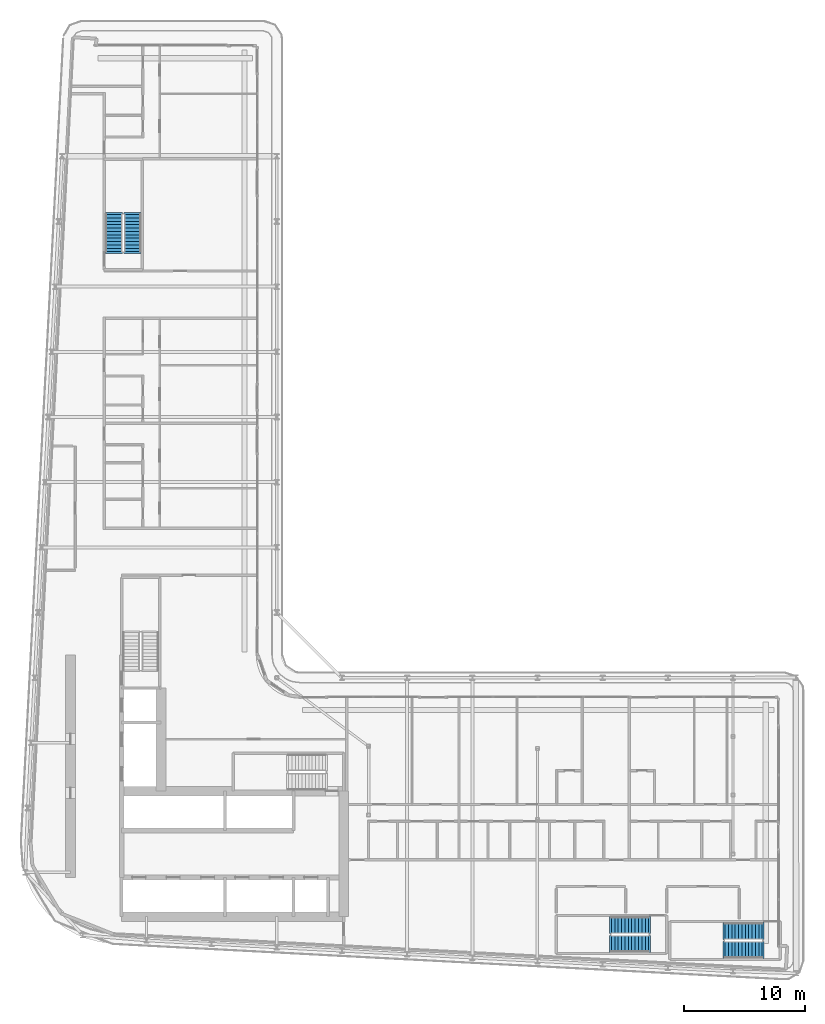
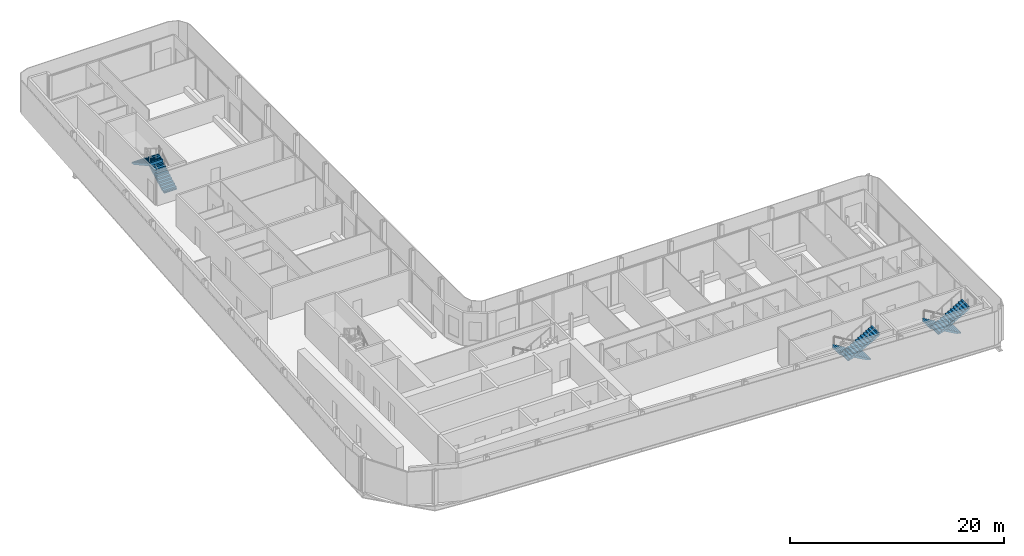
# One storey, part 19 of 26: 6 stair flights, 3 elements without a shape of their own.
"""IFC4 building model written with IfcOpenShell, lengths in metres."""

from ifc_helpers import new_model, si_unit, direction, frame, origin, place, context, subcontext, project, spatial, polyline, outline, extrude, material, layer, layer_set, type_object, element, aggregate, save


model = new_model("IFC4")

# Units and contexts
model_context = context("Model", 3, precision=1e-05, world=origin(), true_north=direction((0.0, 1.0)))
body_context = subcontext(model_context, "Body", "Model", "MODEL_VIEW")
ifc_project = project(units=[si_unit("LENGTHUNIT", "METRE"), si_unit("AREAUNIT", "SQUARE_METRE"), si_unit("VOLUMEUNIT", "CUBIC_METRE"), si_unit("PLANEANGLEUNIT", "RADIAN"), si_unit("MASSUNIT", "GRAM", prefix="KILO")], contexts=[model_context])

# Site, building, storey
site_placement = place(None, origin())
site = spatial("IfcSite", under=ifc_project, at=site_placement, CompositionType="ELEMENT")
building_placement = place(site_placement, origin())
building = spatial("IfcBuilding", under=site, at=building_placement, Name="Kheshtan School and Residences Tower", CompositionType="ELEMENT")
storey_placement = place(building_placement, frame((0.0, 0.0, 156.5)))
storey = spatial("IfcBuildingStorey", under=building, at=storey_placement, Name="L36", CompositionType="ELEMENT", Elevation=156.5)

# Stair, stair flights
ifc_material = material(Name="Concrete C40/50", Category="concrete")
stair_type = type_object("IfcStairType", Name="Exit stair, half-turn", PredefinedType="HALF_TURN_STAIR", material=ifc_material)
stair_1_placement = place(storey_placement, origin())
stair_1 = element("IfcStair", 1, at=stair_1_placement, inside=storey, type_object=stair_type, Name="L36 Protected Exit Stair ST3", PredefinedType="HALF_TURN_STAIR")
ifc_layer = layer(ifc_material, 0.14990234375)
ifc_layer_set = layer_set([ifc_layer], Name="Stair flight 1400 Concrete C40/50")
stair_flight_type = type_object("IfcStairFlightType", Name="Stair flight 1400 Concrete C40/50", PredefinedType="STRAIGHT", material=ifc_layer_set)
stair_flight_1_placement = place(storey_placement, frame((35.64990234375, 80.89990234375, 0.0), z_axis=(0.0, 0.0, 1.0), x_axis=(0.0, 1.0, 0.0)))
stair_flight_1 = element("IfcStairFlight", 2, at=stair_flight_1_placement, type_object=stair_flight_type, Name="ST3 flight 1", NumberOfRisers=12, NumberOfTreads=11, PredefinedType="STRAIGHT", RiserHeight=0.1625, TreadLength=0.28, context=body_context, shape_type="SweptSolid", body=[
    extrude(outline(polyline([(-0.14990234375, -0.10009765625), (-0.14990234375, 0.0), (0.0, 0.0), (0.0, 0.16259765625), (0.280029296875, 0.16259765625), (0.280029296875, 0.324951171875), (0.56005859375, 0.324951171875), (0.56005859375, 0.487548828125), (0.840087890625, 0.487548828125), (0.840087890625, 0.64990234375), (1.1201171875, 0.64990234375), (1.1201171875, 0.8125), (1.39990234375, 0.8125), (1.39990234375, 0.97509765625), (1.679931640625, 0.97509765625), (1.679931640625, 1.137451171875), (1.9599609375, 1.137451171875), (1.9599609375, 1.300048828125), (2.239990234375, 1.300048828125), (2.239990234375, 1.46240234375), (2.52001953125, 1.46240234375), (2.52001953125, 1.625), (2.800048828125, 1.625), (2.800048828125, 1.78759765625), (3.080078125, 1.78759765625), (3.080078125, 1.949951171875), (3.080078125, 1.969970703125), (3.22998046875, 1.969970703125), (3.22998046875, 1.6142578125), (0.298583984375, 0.0), (-0.14990234375, -0.10009765625)])), frame((0.0, 0.699951171875, 0.0), z_axis=(0.0, -1.0, 0.0), x_axis=(1.0, 0.0, 0.0)), (0.0, 0.0, 1.0), 1.39990234375),
])
stair_flight_2_placement = place(storey_placement, frame((34.10009765625, 83.97998046875, 1.949951171875), z_axis=(0.0, 0.0, 1.0), x_axis=(0.0, -1.0, 0.0)))
stair_flight_2 = element("IfcStairFlight", 3, at=stair_flight_2_placement, type_object=stair_flight_type, Name="ST3 flight 2", NumberOfRisers=12, NumberOfTreads=11, PredefinedType="STRAIGHT", RiserHeight=0.1625, TreadLength=0.28, context=body_context, shape_type="SweptSolid", body=[
    extrude(outline(polyline([(-0.14990234375, -0.10009765625), (-0.14990234375, 0.0), (0.0, 0.0), (0.0, 0.16259765625), (0.280029296875, 0.16259765625), (0.280029296875, 0.324951171875), (0.56005859375, 0.324951171875), (0.56005859375, 0.487548828125), (0.840087890625, 0.487548828125), (0.840087890625, 0.64990234375), (1.1201171875, 0.64990234375), (1.1201171875, 0.8125), (1.39990234375, 0.8125), (1.39990234375, 0.97509765625), (1.679931640625, 0.97509765625), (1.679931640625, 1.137451171875), (1.9599609375, 1.137451171875), (1.9599609375, 1.300048828125), (2.239990234375, 1.300048828125), (2.239990234375, 1.46240234375), (2.52001953125, 1.46240234375), (2.52001953125, 1.625), (2.800048828125, 1.625), (2.800048828125, 1.78759765625), (3.080078125, 1.78759765625), (3.080078125, 1.949951171875), (3.080078125, 1.969970703125), (3.22998046875, 1.969970703125), (3.22998046875, 1.6142578125), (0.298583984375, 0.0), (-0.14990234375, -0.10009765625)])), frame((0.0, 0.699951171875, 0.0), z_axis=(0.0, -1.0, 0.0), x_axis=(1.0, 0.0, 0.0)), (0.0, 0.0, 1.0), 1.39990234375),
])
aggregate(stair_1, [stair_flight_1, stair_flight_2])

stair_2_placement = place(storey_placement, origin())
stair_2 = element("IfcStair", 4, at=stair_2_placement, inside=storey, type_object=stair_type, Name="L36 Protected Exit Stair ST4", PredefinedType="HALF_TURN_STAIR")
stair_flight_3_placement = place(storey_placement, frame((87.820068359375, 24.60009765625, 0.0), z_axis=(0.0, 0.0, 1.0), x_axis=(-1.0, 0.0, 0.0)))
stair_flight_3 = element("IfcStairFlight", 5, at=stair_flight_3_placement, type_object=stair_flight_type, Name="ST4 flight 1", NumberOfRisers=12, NumberOfTreads=11, PredefinedType="STRAIGHT", RiserHeight=0.1625, TreadLength=0.28, context=body_context, shape_type="SweptSolid", body=[
    extrude(outline(polyline([(-0.14990234375, -0.10009765625), (-0.14990234375, 0.0), (0.0, 0.0), (0.0, 0.16259765625), (0.280029296875, 0.16259765625), (0.280029296875, 0.324951171875), (0.56005859375, 0.324951171875), (0.56005859375, 0.487548828125), (0.840087890625, 0.487548828125), (0.840087890625, 0.64990234375), (1.1201171875, 0.64990234375), (1.1201171875, 0.8125), (1.39990234375, 0.8125), (1.39990234375, 0.97509765625), (1.679931640625, 0.97509765625), (1.679931640625, 1.137451171875), (1.9599609375, 1.137451171875), (1.9599609375, 1.300048828125), (2.239990234375, 1.300048828125), (2.239990234375, 1.46240234375), (2.52001953125, 1.46240234375), (2.52001953125, 1.625), (2.800048828125, 1.625), (2.800048828125, 1.78759765625), (3.080078125, 1.78759765625), (3.080078125, 1.949951171875), (3.080078125, 1.969970703125), (3.22998046875, 1.969970703125), (3.22998046875, 1.6142578125), (0.298583984375, 0.0), (-0.14990234375, -0.10009765625)])), frame((0.0, 0.699951171875, 0.0), z_axis=(0.0, -1.0, 0.0), x_axis=(1.0, 0.0, 0.0)), (0.0, 0.0, 1.0), 1.39990234375),
])
stair_flight_4_placement = place(storey_placement, frame((84.739990234375, 23.050048828125, 1.949951171875), z_axis=(0.0, 0.0, 1.0), x_axis=(1.0, 0.0, 0.0)))
stair_flight_4 = element("IfcStairFlight", 6, at=stair_flight_4_placement, type_object=stair_flight_type, Name="ST4 flight 2", NumberOfRisers=12, NumberOfTreads=11, PredefinedType="STRAIGHT", RiserHeight=0.1625, TreadLength=0.28, context=body_context, shape_type="SweptSolid", body=[
    extrude(outline(polyline([(-0.14990234375, -0.10009765625), (-0.14990234375, 0.0), (0.0, 0.0), (0.0, 0.16259765625), (0.280029296875, 0.16259765625), (0.280029296875, 0.324951171875), (0.56005859375, 0.324951171875), (0.56005859375, 0.487548828125), (0.840087890625, 0.487548828125), (0.840087890625, 0.64990234375), (1.1201171875, 0.64990234375), (1.1201171875, 0.8125), (1.39990234375, 0.8125), (1.39990234375, 0.97509765625), (1.679931640625, 0.97509765625), (1.679931640625, 1.137451171875), (1.9599609375, 1.137451171875), (1.9599609375, 1.300048828125), (2.239990234375, 1.300048828125), (2.239990234375, 1.46240234375), (2.52001953125, 1.46240234375), (2.52001953125, 1.625), (2.800048828125, 1.625), (2.800048828125, 1.78759765625), (3.080078125, 1.78759765625), (3.080078125, 1.949951171875), (3.080078125, 1.969970703125), (3.22998046875, 1.969970703125), (3.22998046875, 1.6142578125), (0.298583984375, 0.0), (-0.14990234375, -0.10009765625)])), frame((0.0, 0.699951171875, 0.0), z_axis=(0.0, -1.0, 0.0), x_axis=(1.0, 0.0, 0.0)), (0.0, 0.0, 1.0), 1.39990234375),
])
aggregate(stair_2, [stair_flight_3, stair_flight_4])

stair_3_placement = place(storey_placement, origin())
stair_3 = element("IfcStair", 7, at=stair_3_placement, inside=storey, type_object=stair_type, Name="L36 Protected Exit Stair ST5", PredefinedType="HALF_TURN_STAIR")
stair_flight_5_placement = place(storey_placement, frame((78.409912109375, 25.10009765625, 0.0), z_axis=(0.0, 0.0, 1.0), x_axis=(-1.0, 0.0, 0.0)))
stair_flight_5 = element("IfcStairFlight", 8, at=stair_flight_5_placement, type_object=stair_flight_type, Name="ST5 flight 1", NumberOfRisers=12, NumberOfTreads=11, PredefinedType="STRAIGHT", RiserHeight=0.1625, TreadLength=0.28, context=body_context, shape_type="SweptSolid", body=[
    extrude(outline(polyline([(-0.14990234375, -0.10009765625), (-0.14990234375, 0.0), (0.0, 0.0), (0.0, 0.16259765625), (0.280029296875, 0.16259765625), (0.280029296875, 0.324951171875), (0.56005859375, 0.324951171875), (0.56005859375, 0.487548828125), (0.840087890625, 0.487548828125), (0.840087890625, 0.64990234375), (1.1201171875, 0.64990234375), (1.1201171875, 0.8125), (1.39990234375, 0.8125), (1.39990234375, 0.97509765625), (1.679931640625, 0.97509765625), (1.679931640625, 1.137451171875), (1.9599609375, 1.137451171875), (1.9599609375, 1.300048828125), (2.239990234375, 1.300048828125), (2.239990234375, 1.46240234375), (2.52001953125, 1.46240234375), (2.52001953125, 1.625), (2.800048828125, 1.625), (2.800048828125, 1.78759765625), (3.080078125, 1.78759765625), (3.080078125, 1.949951171875), (3.080078125, 1.969970703125), (3.22998046875, 1.969970703125), (3.22998046875, 1.6142578125), (0.298583984375, 0.0), (-0.14990234375, -0.10009765625)])), frame((0.0, 0.699951171875, 0.0), z_axis=(0.0, -1.0, 0.0), x_axis=(1.0, 0.0, 0.0)), (0.0, 0.0, 1.0), 1.39990234375),
])
stair_flight_6_placement = place(storey_placement, frame((75.330078125, 23.550048828125, 1.949951171875), z_axis=(0.0, 0.0, 1.0), x_axis=(1.0, 0.0, 0.0)))
stair_flight_6 = element("IfcStairFlight", 9, at=stair_flight_6_placement, type_object=stair_flight_type, Name="ST5 flight 2", NumberOfRisers=12, NumberOfTreads=11, PredefinedType="STRAIGHT", RiserHeight=0.1625, TreadLength=0.28, context=body_context, shape_type="SweptSolid", body=[
    extrude(outline(polyline([(-0.14990234375, -0.10009765625), (-0.14990234375, 0.0), (0.0, 0.0), (0.0, 0.16259765625), (0.280029296875, 0.16259765625), (0.280029296875, 0.324951171875), (0.56005859375, 0.324951171875), (0.56005859375, 0.487548828125), (0.840087890625, 0.487548828125), (0.840087890625, 0.64990234375), (1.1201171875, 0.64990234375), (1.1201171875, 0.8125), (1.39990234375, 0.8125), (1.39990234375, 0.97509765625), (1.679931640625, 0.97509765625), (1.679931640625, 1.137451171875), (1.9599609375, 1.137451171875), (1.9599609375, 1.300048828125), (2.239990234375, 1.300048828125), (2.239990234375, 1.46240234375), (2.52001953125, 1.46240234375), (2.52001953125, 1.625), (2.800048828125, 1.625), (2.800048828125, 1.78759765625), (3.080078125, 1.78759765625), (3.080078125, 1.949951171875), (3.080078125, 1.969970703125), (3.22998046875, 1.969970703125), (3.22998046875, 1.6142578125), (0.298583984375, 0.0), (-0.14990234375, -0.10009765625)])), frame((0.0, 0.699951171875, 0.0), z_axis=(0.0, -1.0, 0.0), x_axis=(1.0, 0.0, 0.0)), (0.0, 0.0, 1.0), 1.39990234375),
])
aggregate(stair_3, [stair_flight_5, stair_flight_6])

save(model, "model.ifc")
